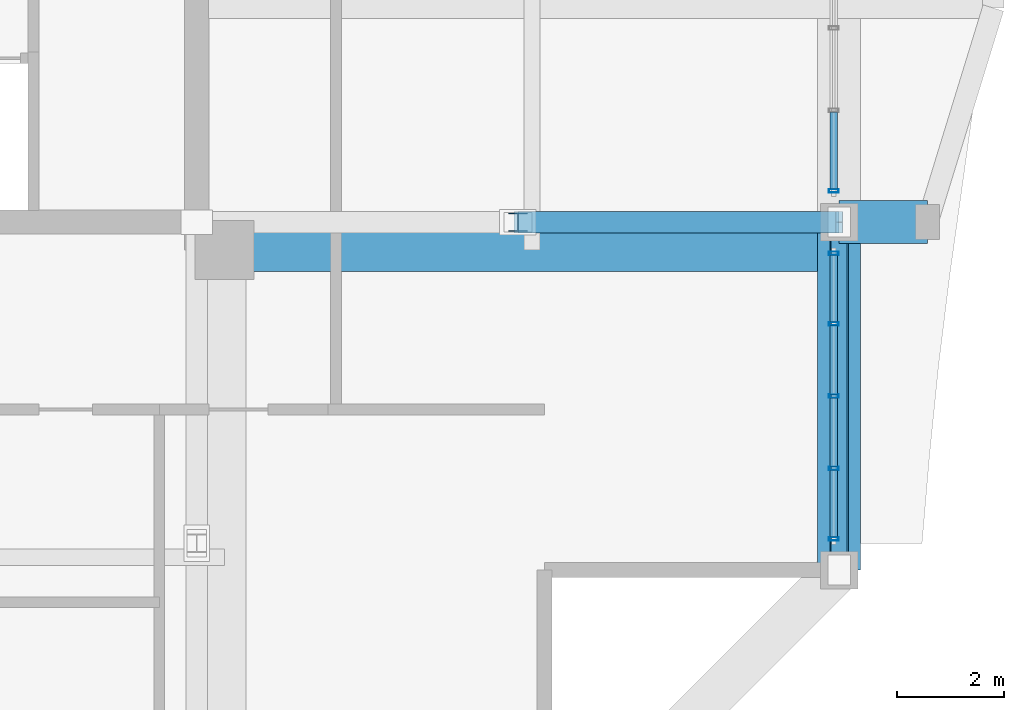
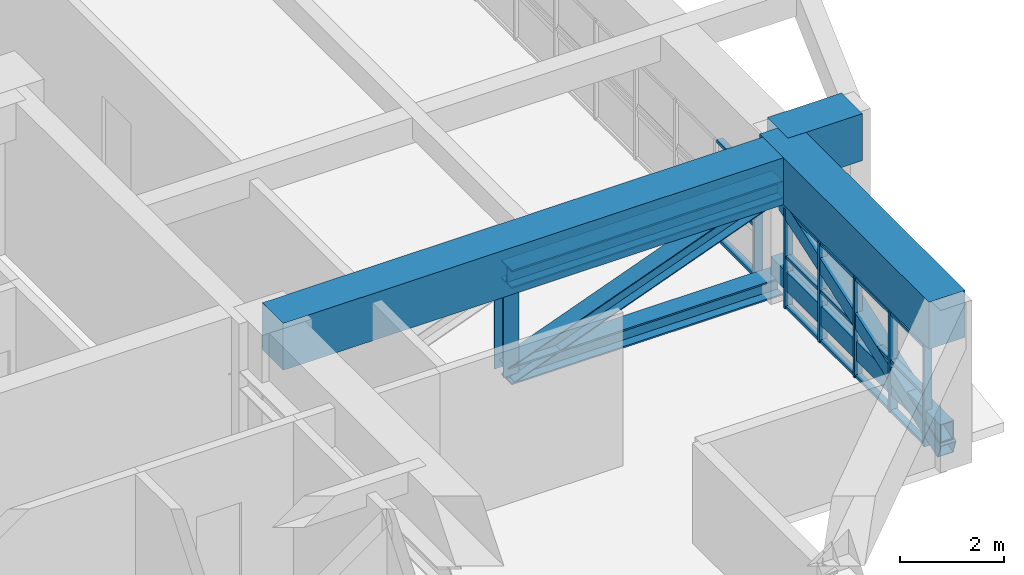
# One storey, part 9 of 25: 27 members, 3 beams, 2 elements without a shape of their own.
"""IFC4 building model written with IfcOpenShell, lengths in metres."""

from ifc_helpers import new_model, si_unit, direction, frame, origin, origin_2d, place, context, subcontext, project, spatial, rectangle, hollow_rectangle, i_section, extrude, source, transform, mapped, material, layer, layer_set, material_profile, profile_set, type_object, element, aggregate, save


model = new_model("IFC4")

# Units and contexts
model_context = context("Model", 3, precision=1e-05, world=origin(), true_north=direction((0.0, 1.0)))
body_context = subcontext(model_context, "Body", "Model", "MODEL_VIEW")
ifc_project = project(units=[si_unit("LENGTHUNIT", "METRE"), si_unit("AREAUNIT", "SQUARE_METRE"), si_unit("VOLUMEUNIT", "CUBIC_METRE"), si_unit("PLANEANGLEUNIT", "RADIAN"), si_unit("MASSUNIT", "GRAM", prefix="KILO")], contexts=[model_context])

# Site, building, storey
site_placement = place(None, origin())
site = spatial("IfcSite", under=ifc_project, at=site_placement, CompositionType="ELEMENT")
building_placement = place(site_placement, origin())
building = spatial("IfcBuilding", under=site, at=building_placement, Name="Saelheon Loggia Tower", CompositionType="ELEMENT")
storey_placement = place(building_placement, frame((0.0, 0.0, 206.5)))
storey = spatial("IfcBuildingStorey", under=building, at=storey_placement, Name="L64", CompositionType="ELEMENT", Elevation=206.5)

# Beams
ifc_material_1 = material(Name="Concrete C50/60", Category="concrete")
ifc_material_profile_1 = material_profile(ifc_material_1, rectangle(XDim=0.800048828125, YDim=1.10009765625, at=origin_2d()), Name="RC-800x1100")
ifc_profile_set_1 = profile_set([ifc_material_profile_1], Name="Concrete C50/60")
beam_type_1 = type_object("IfcBeamType", Name="Beam_SetbackTransfer_RC800x1100", PredefinedType="BEAM", material=ifc_profile_set_1)
shared_shape_1 = source(origin(), body_context, "Body", "SweptSolid", [
    extrude(rectangle(XDim=0.800048828125, YDim=1.10009765625, at=origin_2d()), origin(), (0.0, 0.0, 1.0), 11.47998046875),
])
beam_1_placement = place(storey_placement, frame((45.02001953125, 17.47998046875, 3.25), z_axis=(1.0, 0.0, 0.0), x_axis=(0.0, 1.0, 0.0)))
element("IfcBeam", 1, at=beam_1_placement, inside=storey, type_object=beam_type_1, Name="L64 Radial Floor Girder RAD-SE-E", PredefinedType="BEAM", context=body_context, shape_type="MappedRepresentation", body=[
    mapped(shared_shape_1, transform((0.0, 0.0, 0.0), scale=1.0)),
])
ifc_material_profile_2 = material_profile(ifc_material_1, rectangle(XDim=0.800048828125, YDim=1.10009765625, at=origin_2d()), Name="RC-800x1100")
ifc_profile_set_2 = profile_set([ifc_material_profile_2], Name="Concrete C50/60")
beam_type_2 = type_object("IfcBeamType", Name="Beam_PerimSetback_RC800x1100", PredefinedType="BEAM", material=ifc_profile_set_2)
shared_shape_2 = source(origin(), body_context, "Body", "SweptSolid", [
    extrude(rectangle(XDim=0.800048828125, YDim=1.10009765625, at=origin_2d()), origin(), (0.0, 0.0, 1.0), 1.64990234375),
])
beam_2_placement = place(storey_placement, frame((56.5, 18.0, 3.25), z_axis=(1.0, 0.0, 0.0), x_axis=(0.0, 1.0, 0.0)))
element("IfcBeam", 2, at=beam_2_placement, inside=storey, type_object=beam_type_2, Name="L64 Loggia Frame Tie Beam LP-E1", PredefinedType="BEAM", context=body_context, shape_type="MappedRepresentation", body=[
    mapped(shared_shape_2, transform((0.0, 0.0, 0.0), scale=1.0)),
])
shared_shape_3 = source(origin(), body_context, "Body", "SweptSolid", [
    extrude(rectangle(XDim=0.800048828125, YDim=1.10009765625, at=origin_2d()), origin(), (0.0, 0.0, 1.0), 6.5),
])
beam_3_placement = place(storey_placement, frame((56.5, 11.5, 3.25), z_axis=(0.0, 1.0, 0.0), x_axis=(-1.0, 0.0, 0.0)))
element("IfcBeam", 3, at=beam_3_placement, inside=storey, type_object=beam_type_2, Name="L64 Perimeter Frame Girder 05", PredefinedType="BEAM", context=body_context, shape_type="MappedRepresentation", body=[
    mapped(shared_shape_3, transform((0.0, 0.0, 0.0), scale=1.0)),
])

# Members
ifc_material_2 = material(Name="Steel SM355", Category="steel")
ifc_material_profile_3 = material_profile(ifc_material_2, i_section(OverallWidth=0.406982421875, OverallDepth=0.427978515625, WebThickness=0.02001953125, FlangeThickness=0.034912109375, at=origin_2d()), Name="H-428x407x20x35")
ifc_profile_set_3 = profile_set([ifc_material_profile_3], Name="Steel SM355")
member_type_1 = type_object("IfcMemberType", Name="Outrigger_Chord_H428", PredefinedType="CHORD", material=ifc_profile_set_3)
shared_shape_4 = source(origin(), body_context, "Body", "SweptSolid", [
    extrude(i_section(OverallWidth=0.406982421875, OverallDepth=0.427978515625, WebThickness=0.02001953125, FlangeThickness=0.034912109375, at=origin_2d()), origin(), (0.0, 0.0, 1.0), 6.0),
])
for number, where, z_axis, x_axis, name in (
    (4, (50.5, 18.0, 0.219970703125), (1.0, 0.0, 0.0), (0.0, 1.0, 0.0), "L64 Outrigger Bottom Chord SE-E 2"),
    (5, (50.5, 18.0, 2.469970703125), (1.0, 0.0, 0.0), (0.0, 1.0, 0.0), "L64 Outrigger Top Chord SE-E 2"),
):
    element("IfcMember", number, at=place(storey_placement, frame(where, z_axis=z_axis, x_axis=x_axis)), inside=storey, type_object=member_type_1, Name=name, PredefinedType="CHORD", context=body_context, shape_type="MappedRepresentation", body=[
        mapped(shared_shape_4, transform((0.0, 0.0, 0.0), scale=1.0)),
    ])
ifc_material_profile_4 = material_profile(ifc_material_2, i_section(OverallWidth=0.35009765625, OverallDepth=0.35009765625, WebThickness=0.011962890625, FlangeThickness=0.01904296875, at=origin_2d()), Name="H-350x350x12x19")
ifc_profile_set_4 = profile_set([ifc_material_profile_4], Name="Steel SM355")
member_type_2 = type_object("IfcMemberType", Name="Outrigger_Post_H350", PredefinedType="POST", material=ifc_profile_set_4)
shared_shape_5 = source(origin(), body_context, "Body", "SweptSolid", [
    extrude(i_section(OverallWidth=0.35009765625, OverallDepth=0.35009765625, WebThickness=0.011962890625, FlangeThickness=0.01904296875, at=origin_2d()), origin(), (0.0, 0.0, 1.0), 2.25),
])
member_1_placement = place(storey_placement, frame((50.5, 18.0, 0.219970703125), z_axis=(0.0, 0.0, 1.0), x_axis=(1.0, 0.0, 0.0)))
element("IfcMember", 6, at=member_1_placement, inside=storey, type_object=member_type_2, Name="L64 Outrigger Web Post SE-E", PredefinedType="POST", context=body_context, shape_type="MappedRepresentation", body=[
    mapped(shared_shape_5, transform((0.0, 0.0, 0.0), scale=1.0)),
])
ifc_material_profile_5 = material_profile(ifc_material_2, i_section(OverallWidth=0.39990234375, OverallDepth=0.39990234375, WebThickness=0.012939453125, FlangeThickness=0.02099609375, at=origin_2d()), Name="H-400x400x13x21")
ifc_profile_set_5 = profile_set([ifc_material_profile_5], Name="Steel SM355")
member_type_3 = type_object("IfcMemberType", Name="Outrigger_Brace_H400", PredefinedType="BRACE", material=ifc_profile_set_5)
shared_shape_6 = source(origin(), body_context, "Body", "SweptSolid", [
    extrude(i_section(OverallWidth=0.39990234375, OverallDepth=0.39990234375, WebThickness=0.012939453125, FlangeThickness=0.02099609375, at=origin_2d()), origin(), (0.0, 0.0, 1.0), 6.407958984375),
])
member_2_placement = place(storey_placement, frame((50.5, 18.0, 0.219970703125), z_axis=(0.936329177569, 0.0, 0.351123441588), x_axis=(0.0, 1.0, 0.0)))
element("IfcMember", 7, at=member_2_placement, inside=storey, type_object=member_type_3, Name="L64 Outrigger Diagonal SE-E 2", PredefinedType="BRACE", context=body_context, shape_type="MappedRepresentation", body=[
    mapped(shared_shape_6, transform((0.0, 0.0, 0.0), scale=1.0)),
])
ifc_material_profile_6 = material_profile(ifc_material_2, hollow_rectangle(XDim=0.300048828125, YDim=0.449951171875, WallThickness=0.02001953125, at=origin_2d()), Name="RHS-450x300x20")
ifc_profile_set_6 = profile_set([ifc_material_profile_6], Name="Steel SM355")
member_type_4 = type_object("IfcMemberType", Name="Belt_Chord_RHS450", PredefinedType="CHORD", material=ifc_profile_set_6)
shared_shape_7 = source(origin(), body_context, "Body", "SweptSolid", [
    extrude(hollow_rectangle(XDim=0.300048828125, YDim=0.449951171875, WallThickness=0.02001953125, at=origin_2d()), origin(), (0.0, 0.0, 1.0), 6.5),
])
member_3_placement = place(storey_placement, frame((56.5, 11.5, 0.6201171875), z_axis=(0.0, 1.0, 0.0), x_axis=(-1.0, 0.0, 0.0)))
element("IfcMember", 8, at=member_3_placement, inside=storey, type_object=member_type_4, Name="L64 Belt Truss Chord BE1", PredefinedType="CHORD", context=body_context, shape_type="MappedRepresentation", body=[
    mapped(shared_shape_7, transform((0.0, 0.0, 0.0), scale=1.0)),
])
ifc_material_profile_7 = material_profile(ifc_material_2, hollow_rectangle(XDim=0.35009765625, YDim=0.35009765625, WallThickness=0.01611328125, at=origin_2d()), Name="RHS-350x350x16")
ifc_profile_set_7 = profile_set([ifc_material_profile_7], Name="Steel SM355")
member_type_5 = type_object("IfcMemberType", Name="Belt_Brace_RHS350", PredefinedType="BRACE", material=ifc_profile_set_7)
shared_shape_8 = source(origin(), body_context, "Body", "SweptSolid", [
    extrude(hollow_rectangle(XDim=0.35009765625, YDim=0.35009765625, WallThickness=0.01611328125, at=origin_2d()), origin(), (0.0, 0.0, 1.0), 6.87841796875),
])
member_4_placement = place(storey_placement, frame((56.5, 11.5, 0.219970703125), z_axis=(0.0, 0.94498607344, 0.327110563883), x_axis=(-1.0, 0.0, 0.0)))
element("IfcMember", 9, at=member_4_placement, inside=storey, type_object=member_type_5, Name="L64 Belt Truss Brace BE1", PredefinedType="BRACE", context=body_context, shape_type="MappedRepresentation", body=[
    mapped(shared_shape_8, transform((0.0, 0.0, 0.0), scale=1.0)),
])

# Curtain wall, members
ifc_material_3 = material(Name="Anodised Aluminium Acoustic Louvre Curtain Wall", Category="aluminium")
ifc_layer = layer(ifc_material_3, 0.179931640625)
ifc_layer_set = layer_set([ifc_layer], Name="Anodised Aluminium Acoustic Louvre Curtain Wall")
curtain_wall_type = type_object("IfcCurtainWallType", Name="CW_RefugeAcoustic", PredefinedType="NOTDEFINED", material=ifc_layer_set)
curtain_wall_1_placement = place(storey_placement, origin())
curtain_wall_1 = element("IfcCurtainWall", 10, at=curtain_wall_1_placement, inside=storey, type_object=curtain_wall_type, Name="L64 E Refuge Acoustic Curtain Wall 2", PredefinedType="NOTDEFINED")
ifc_material_4 = material(Name="Anodised Aluminium 6063-T6", Category="aluminium")
ifc_material_profile_8 = material_profile(ifc_material_4, hollow_rectangle(XDim=0.06494140625, YDim=0.139892578125, WallThickness=0.00390625, at=origin_2d()), Name="RHS-140x65x4")
ifc_profile_set_8 = profile_set([ifc_material_profile_8], Name="Anodised Aluminium 6063-T6")
member_type_6 = type_object("IfcMemberType", Name="CW_RefugeAcoustic_Transom", PredefinedType="USERDEFINED", material=ifc_profile_set_8)
shared_shape_9 = source(origin(), body_context, "Body", "SweptSolid", [
    extrude(hollow_rectangle(XDim=0.06494140625, YDim=0.139892578125, WallThickness=0.00390625, at=origin_2d()), origin(), (0.0, 0.0, 1.0), 1.43896484375),
])
member_5_placement = place(storey_placement, frame((56.39990234375, 18.614990234375, 0.032470703125), z_axis=(0.0, 1.0, 0.0), x_axis=(0.0, 0.0, 1.0)))
member_5 = element("IfcMember", 11, at=member_5_placement, type_object=member_type_6, Name="CW5 transom 1.1", ObjectType="TRANSOM", PredefinedType="USERDEFINED", context=body_context, shape_type="MappedRepresentation", body=[
    mapped(shared_shape_9, transform((0.0, 0.0, 0.0), scale=1.0)),
])
member_6_placement = place(storey_placement, frame((56.39990234375, 18.614990234375, 1.199951171875), z_axis=(0.0, 1.0, 0.0), x_axis=(0.0, 0.0, 1.0)))
member_6 = element("IfcMember", 12, at=member_6_placement, type_object=member_type_6, Name="CW5 transom 1.2", ObjectType="TRANSOM", PredefinedType="USERDEFINED", context=body_context, shape_type="MappedRepresentation", body=[
    mapped(shared_shape_9, transform((0.0, 0.0, 0.0), scale=1.0)),
])
member_7_placement = place(storey_placement, frame((56.39990234375, 18.614990234375, 2.3076171875), z_axis=(0.0, 1.0, 0.0), x_axis=(0.0, 0.0, 1.0)))
member_7 = element("IfcMember", 13, at=member_7_placement, type_object=member_type_6, Name="CW5 transom 1.3", ObjectType="TRANSOM", PredefinedType="USERDEFINED", context=body_context, shape_type="MappedRepresentation", body=[
    mapped(shared_shape_9, transform((0.0, 0.0, 0.0), scale=1.0)),
])

curtain_wall_2_placement = place(storey_placement, origin())
curtain_wall_2 = element("IfcCurtainWall", 14, at=curtain_wall_2_placement, inside=storey, type_object=curtain_wall_type, Name="L64 E Refuge Acoustic Curtain Wall 1", PredefinedType="NOTDEFINED")
ifc_material_profile_9 = material_profile(ifc_material_4, hollow_rectangle(XDim=0.06494140625, YDim=0.179931640625, WallThickness=0.00390625, at=origin_2d()), Name="RHS-180x65x4")
ifc_profile_set_9 = profile_set([ifc_material_profile_9], Name="Anodised Aluminium 6063-T6")
member_type_7 = type_object("IfcMemberType", Name="CW_RefugeAcoustic_Mullion", PredefinedType="MULLION", material=ifc_profile_set_9)
shared_shape_10 = source(origin(), body_context, "Body", "SweptSolid", [
    extrude(hollow_rectangle(XDim=0.06494140625, YDim=0.179931640625, WallThickness=0.00390625, at=origin_2d()), origin(), (0.0, 0.0, 1.0), 2.340087890625),
])
member_8_placement = place(storey_placement, frame((56.39990234375, 12.08251953125, 0.0), z_axis=(0.0, 0.0, 1.0), x_axis=(0.0, 1.0, 0.0)))
member_8 = element("IfcMember", 15, at=member_8_placement, type_object=member_type_7, Name="CW5 mullion 1", PredefinedType="MULLION", context=body_context, shape_type="MappedRepresentation", body=[
    mapped(shared_shape_10, transform((0.0, 0.0, 0.0), scale=1.0)),
])
member_9_placement = place(storey_placement, frame((56.39990234375, 13.39990234375, 0.0), z_axis=(0.0, 0.0, 1.0), x_axis=(0.0, 1.0, 0.0)))
member_9 = element("IfcMember", 16, at=member_9_placement, type_object=member_type_7, Name="CW5 mullion 2", PredefinedType="MULLION", context=body_context, shape_type="MappedRepresentation", body=[
    mapped(shared_shape_10, transform((0.0, 0.0, 0.0), scale=1.0)),
])
member_10_placement = place(storey_placement, frame((56.39990234375, 14.75, 0.0), z_axis=(0.0, 0.0, 1.0), x_axis=(0.0, 1.0, 0.0)))
member_10 = element("IfcMember", 17, at=member_10_placement, type_object=member_type_7, Name="CW5 mullion 3", PredefinedType="MULLION", context=body_context, shape_type="MappedRepresentation", body=[
    mapped(shared_shape_10, transform((0.0, 0.0, 0.0), scale=1.0)),
])
member_11_placement = place(storey_placement, frame((56.39990234375, 16.10009765625, 0.0), z_axis=(0.0, 0.0, 1.0), x_axis=(0.0, 1.0, 0.0)))
member_11 = element("IfcMember", 18, at=member_11_placement, type_object=member_type_7, Name="CW5 mullion 4", PredefinedType="MULLION", context=body_context, shape_type="MappedRepresentation", body=[
    mapped(shared_shape_10, transform((0.0, 0.0, 0.0), scale=1.0)),
])
member_12_placement = place(storey_placement, frame((56.39990234375, 17.41748046875, 0.0), z_axis=(0.0, 0.0, 1.0), x_axis=(0.0, 1.0, 0.0)))
member_12 = element("IfcMember", 19, at=member_12_placement, type_object=member_type_7, Name="CW5 mullion 5", PredefinedType="MULLION", context=body_context, shape_type="MappedRepresentation", body=[
    mapped(shared_shape_10, transform((0.0, 0.0, 0.0), scale=1.0)),
])

# Member
member_13_placement = place(storey_placement, frame((56.39990234375, 18.58251953125, 0.0), z_axis=(0.0, 0.0, 1.0), x_axis=(0.0, 1.0, 0.0)))
member_13 = element("IfcMember", 20, at=member_13_placement, type_object=member_type_7, Name="CW5 mullion 1", PredefinedType="MULLION", context=body_context, shape_type="MappedRepresentation", body=[
    mapped(shared_shape_10, transform((0.0, 0.0, 0.0), scale=1.0)),
])

aggregate(curtain_wall_1, [member_13, member_5, member_6, member_7])

shared_shape_11 = source(origin(), body_context, "Body", "SweptSolid", [
    extrude(hollow_rectangle(XDim=0.06494140625, YDim=0.139892578125, WallThickness=0.00390625, at=origin_2d()), origin(), (0.0, 0.0, 1.0), 1.25244140625),
])
member_14_placement = place(storey_placement, frame((56.39990234375, 12.114990234375, 0.032470703125), z_axis=(0.0, 1.0, 0.0), x_axis=(0.0, 0.0, 1.0)))
member_14 = element("IfcMember", 21, at=member_14_placement, type_object=member_type_6, Name="CW5 transom 1.1", ObjectType="TRANSOM", PredefinedType="USERDEFINED", context=body_context, shape_type="MappedRepresentation", body=[
    mapped(shared_shape_11, transform((0.0, 0.0, 0.0), scale=1.0)),
])

member_15_placement = place(storey_placement, frame((56.39990234375, 12.114990234375, 1.199951171875), z_axis=(0.0, 1.0, 0.0), x_axis=(0.0, 0.0, 1.0)))
member_15 = element("IfcMember", 22, at=member_15_placement, type_object=member_type_6, Name="CW5 transom 1.2", ObjectType="TRANSOM", PredefinedType="USERDEFINED", context=body_context, shape_type="MappedRepresentation", body=[
    mapped(shared_shape_11, transform((0.0, 0.0, 0.0), scale=1.0)),
])

member_16_placement = place(storey_placement, frame((56.39990234375, 12.114990234375, 2.3076171875), z_axis=(0.0, 1.0, 0.0), x_axis=(0.0, 0.0, 1.0)))
member_16 = element("IfcMember", 23, at=member_16_placement, type_object=member_type_6, Name="CW5 transom 1.3", ObjectType="TRANSOM", PredefinedType="USERDEFINED", context=body_context, shape_type="MappedRepresentation", body=[
    mapped(shared_shape_11, transform((0.0, 0.0, 0.0), scale=1.0)),
])

member_17_placement = place(storey_placement, frame((56.39990234375, 16.132568359375, 0.032470703125), z_axis=(0.0, 1.0, 0.0), x_axis=(0.0, 0.0, 1.0)))
member_17 = element("IfcMember", 24, at=member_17_placement, type_object=member_type_6, Name="CW5 transom 4.1", ObjectType="TRANSOM", PredefinedType="USERDEFINED", context=body_context, shape_type="MappedRepresentation", body=[
    mapped(shared_shape_11, transform((0.0, 0.0, 0.0), scale=1.0)),
])

member_18_placement = place(storey_placement, frame((56.39990234375, 16.132568359375, 1.199951171875), z_axis=(0.0, 1.0, 0.0), x_axis=(0.0, 0.0, 1.0)))
member_18 = element("IfcMember", 25, at=member_18_placement, type_object=member_type_6, Name="CW5 transom 4.2", ObjectType="TRANSOM", PredefinedType="USERDEFINED", context=body_context, shape_type="MappedRepresentation", body=[
    mapped(shared_shape_11, transform((0.0, 0.0, 0.0), scale=1.0)),
])

member_19_placement = place(storey_placement, frame((56.39990234375, 16.132568359375, 2.3076171875), z_axis=(0.0, 1.0, 0.0), x_axis=(0.0, 0.0, 1.0)))
member_19 = element("IfcMember", 26, at=member_19_placement, type_object=member_type_6, Name="CW5 transom 4.3", ObjectType="TRANSOM", PredefinedType="USERDEFINED", context=body_context, shape_type="MappedRepresentation", body=[
    mapped(shared_shape_11, transform((0.0, 0.0, 0.0), scale=1.0)),
])

shared_shape_12 = source(origin(), body_context, "Body", "SweptSolid", [
    extrude(hollow_rectangle(XDim=0.06494140625, YDim=0.139892578125, WallThickness=0.00390625, at=origin_2d()), origin(), (0.0, 0.0, 1.0), 1.284912109375),
])
member_20_placement = place(storey_placement, frame((56.39990234375, 13.4326171875, 0.032470703125), z_axis=(0.0, 1.0, 0.0), x_axis=(0.0, 0.0, 1.0)))
member_20 = element("IfcMember", 27, at=member_20_placement, type_object=member_type_6, Name="CW5 transom 2.1", ObjectType="TRANSOM", PredefinedType="USERDEFINED", context=body_context, shape_type="MappedRepresentation", body=[
    mapped(shared_shape_12, transform((0.0, 0.0, 0.0), scale=1.0)),
])

member_21_placement = place(storey_placement, frame((56.39990234375, 13.4326171875, 1.199951171875), z_axis=(0.0, 1.0, 0.0), x_axis=(0.0, 0.0, 1.0)))
member_21 = element("IfcMember", 28, at=member_21_placement, type_object=member_type_6, Name="CW5 transom 2.2", ObjectType="TRANSOM", PredefinedType="USERDEFINED", context=body_context, shape_type="MappedRepresentation", body=[
    mapped(shared_shape_12, transform((0.0, 0.0, 0.0), scale=1.0)),
])

member_22_placement = place(storey_placement, frame((56.39990234375, 13.4326171875, 2.3076171875), z_axis=(0.0, 1.0, 0.0), x_axis=(0.0, 0.0, 1.0)))
member_22 = element("IfcMember", 29, at=member_22_placement, type_object=member_type_6, Name="CW5 transom 2.3", ObjectType="TRANSOM", PredefinedType="USERDEFINED", context=body_context, shape_type="MappedRepresentation", body=[
    mapped(shared_shape_12, transform((0.0, 0.0, 0.0), scale=1.0)),
])

member_23_placement = place(storey_placement, frame((56.39990234375, 14.782470703125, 0.032470703125), z_axis=(0.0, 1.0, 0.0), x_axis=(0.0, 0.0, 1.0)))
member_23 = element("IfcMember", 30, at=member_23_placement, type_object=member_type_6, Name="CW5 transom 3.1", ObjectType="TRANSOM", PredefinedType="USERDEFINED", context=body_context, shape_type="MappedRepresentation", body=[
    mapped(shared_shape_12, transform((0.0, 0.0, 0.0), scale=1.0)),
])

member_24_placement = place(storey_placement, frame((56.39990234375, 14.782470703125, 1.199951171875), z_axis=(0.0, 1.0, 0.0), x_axis=(0.0, 0.0, 1.0)))
member_24 = element("IfcMember", 31, at=member_24_placement, type_object=member_type_6, Name="CW5 transom 3.2", ObjectType="TRANSOM", PredefinedType="USERDEFINED", context=body_context, shape_type="MappedRepresentation", body=[
    mapped(shared_shape_12, transform((0.0, 0.0, 0.0), scale=1.0)),
])

member_25_placement = place(storey_placement, frame((56.39990234375, 14.782470703125, 2.3076171875), z_axis=(0.0, 1.0, 0.0), x_axis=(0.0, 0.0, 1.0)))
member_25 = element("IfcMember", 32, at=member_25_placement, type_object=member_type_6, Name="CW5 transom 3.3", ObjectType="TRANSOM", PredefinedType="USERDEFINED", context=body_context, shape_type="MappedRepresentation", body=[
    mapped(shared_shape_12, transform((0.0, 0.0, 0.0), scale=1.0)),
])

aggregate(curtain_wall_2, [member_8, member_9, member_10, member_11, member_12, member_14, member_15, member_16, member_20, member_21, member_22, member_23, member_24, member_25, member_17, member_18, member_19])

save(model, "model.ifc")
